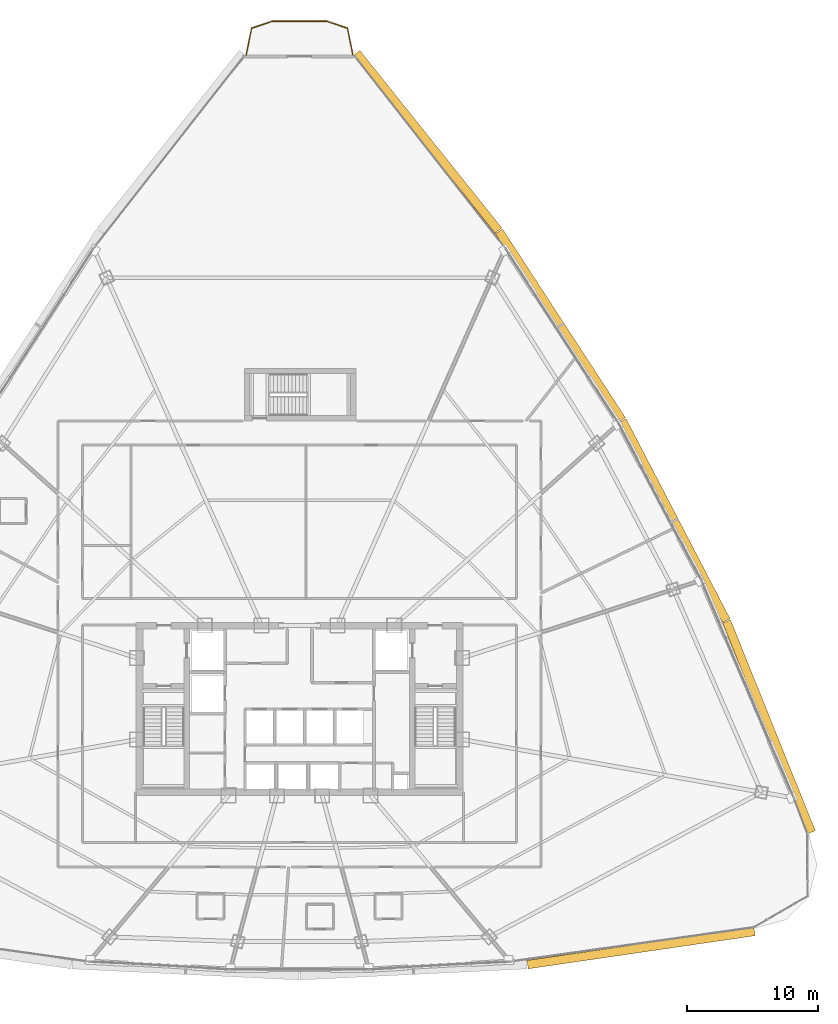
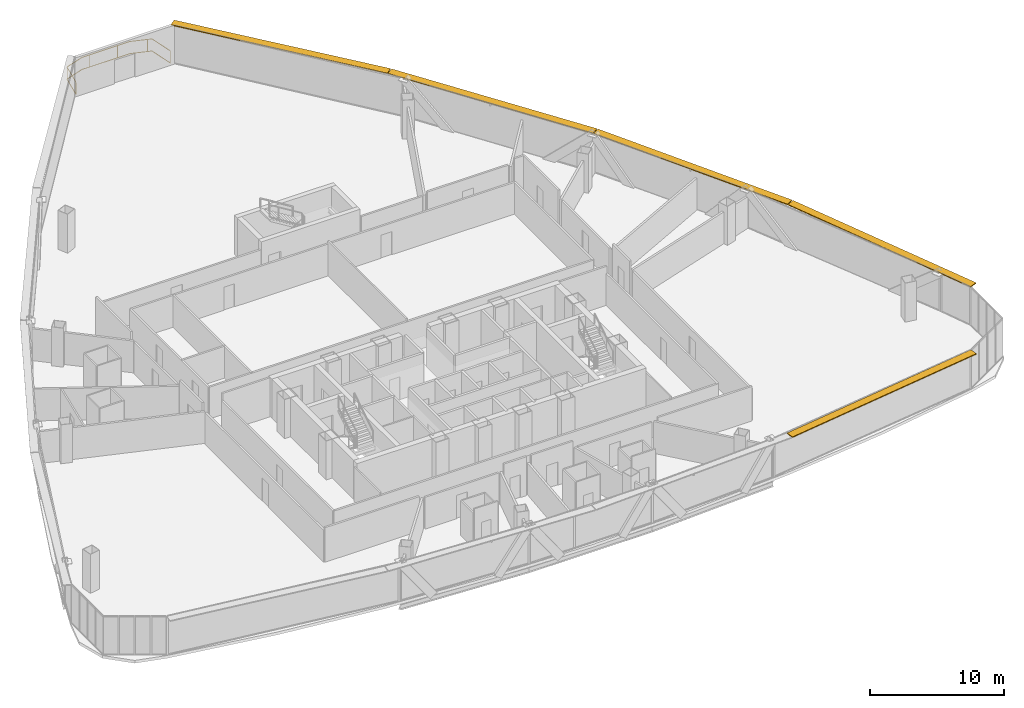
# One storey, part 40 of 40: 5 shading devices, 1 railing.
"""IFC4 building model written with IfcOpenShell, lengths in metres."""

from ifc_helpers import new_model, si_unit, direction, frame, origin, origin_2d, place, context, subcontext, project, spatial, rectangle, extrude, source, transform, mapped, material, layer, layer_set, type_object, element, save


model = new_model("IFC4")

# Units and contexts
model_context = context("Model", 3, precision=1e-05, world=origin(), true_north=direction((0.0, 1.0)))
body_context = subcontext(model_context, "Body", "Model", "MODEL_VIEW")
ifc_project = project(units=[si_unit("LENGTHUNIT", "METRE"), si_unit("AREAUNIT", "SQUARE_METRE"), si_unit("VOLUMEUNIT", "CUBIC_METRE"), si_unit("PLANEANGLEUNIT", "RADIAN"), si_unit("MASSUNIT", "GRAM", prefix="KILO"), si_unit("THERMODYNAMICTEMPERATUREUNIT", "KELVIN"), si_unit("POWERUNIT", "WATT")], contexts=[model_context])

# Site, building, storey
site_placement = place(None, origin())
site = spatial("IfcSite", under=ifc_project, at=site_placement, CompositionType="ELEMENT")
building_placement = place(site_placement, origin())
building = spatial("IfcBuilding", under=site, at=building_placement, Name="Yunzhuo Pagoda Commons", CompositionType="ELEMENT")
storey_placement = place(building_placement, frame((0.0, 0.0, 188.56005859375)))
storey = spatial("IfcBuildingStorey", under=building, at=storey_placement, Name="L47", CompositionType="ELEMENT", Elevation=188.56005859375)

# Railing
ifc_material = material(Name="Anodized aluminium 6063-T6", Category="aluminium")
railing_type = type_object("IfcRailingType", Name="RL-BAL1 Exterior Terrace & Balcony Balustrade 1150", PredefinedType="BALUSTRADE", material=ifc_material)
railing_placement = place(storey_placement, frame((52.060302734375, 83.712646484375, 0.0)))
element("IfcRailing", 1, at=railing_placement, inside=storey, type_object=railing_type, Name="L47 corner balcony balustrade V3", PredefinedType="BALUSTRADE", context=body_context, shape_type="SweptSolid", body=[
    extrude(rectangle(XDim=0.048095703125, YDim=0.048095703125, at=origin_2d()), frame((0.0, 0.0, 1.1259765625), z_axis=(-0.194200568098, 0.980961843983, 0.0), x_axis=(-0.980961843983, -0.194200568098, 0.0)), (0.0, 0.0, 1.0), 2.059326171875),
    extrude(rectangle(XDim=0.048095703125, YDim=0.048095703125, at=origin_2d()), frame((0.0, 0.0, 0.02392578125), z_axis=(-0.194200568098, 0.980961843983, 0.0), x_axis=(-0.980961843983, -0.194200568098, 0.0)), (0.0, 0.0, 1.0), 2.059326171875),
    extrude(rectangle(XDim=0.048095703125, YDim=0.048095703125, at=origin_2d()), frame((-0.39990234375, 2.02001953125, 1.1259765625), z_axis=(-0.948697861028, 0.316184073732, 0.0), x_axis=(-0.316184073732, -0.948697861028, 0.0)), (0.0, 0.0, 1.0), 1.67626953125),
    extrude(rectangle(XDim=0.048095703125, YDim=0.048095703125, at=origin_2d()), frame((-0.39990234375, 2.02001953125, 0.02392578125), z_axis=(-0.948697861028, 0.316184073732, 0.0), x_axis=(-0.316184073732, -0.948697861028, 0.0)), (0.0, 0.0, 1.0), 1.67626953125),
    extrude(rectangle(XDim=0.048095703125, YDim=0.048095703125, at=origin_2d()), frame((-1.990234375, 2.550048828125, 1.1259765625), z_axis=(-1.0, 0.0, 0.0), x_axis=(0.0, -1.0, 0.0)), (0.0, 0.0, 1.0), 4.14013671875),
    extrude(rectangle(XDim=0.048095703125, YDim=0.048095703125, at=origin_2d()), frame((-1.990234375, 2.550048828125, 0.02392578125), z_axis=(-1.0, 0.0, 0.0), x_axis=(0.0, -1.0, 0.0)), (0.0, 0.0, 1.0), 4.14013671875),
    extrude(rectangle(XDim=0.048095703125, YDim=0.048095703125, at=origin_2d()), frame((-6.13037109375, 2.550048828125, 1.1259765625), z_axis=(-0.948697861028, -0.316184073732, 0.0), x_axis=(0.316184073732, -0.948697861028, 0.0)), (0.0, 0.0, 1.0), 1.67626953125),
    extrude(rectangle(XDim=0.048095703125, YDim=0.048095703125, at=origin_2d()), frame((-6.13037109375, 2.550048828125, 0.02392578125), z_axis=(-0.948697861028, -0.316184073732, 0.0), x_axis=(0.316184073732, -0.948697861028, 0.0)), (0.0, 0.0, 1.0), 1.67626953125),
    extrude(rectangle(XDim=0.048095703125, YDim=0.048095703125, at=origin_2d()), frame((-7.720703125, 2.02001953125, 1.1259765625), z_axis=(-0.194200568098, -0.980961843983, 0.0), x_axis=(0.980961843983, -0.194200568098, 0.0)), (0.0, 0.0, 1.0), 2.059326171875),
    extrude(rectangle(XDim=0.048095703125, YDim=0.048095703125, at=origin_2d()), frame((-7.720703125, 2.02001953125, 0.02392578125), z_axis=(-0.194200568098, -0.980961843983, 0.0), x_axis=(0.980961843983, -0.194200568098, 0.0)), (0.0, 0.0, 1.0), 2.059326171875),
    extrude(rectangle(XDim=0.0419921875, YDim=0.0419921875, at=origin_2d()), origin(), (0.0, 0.0, 1.0), 1.101806640625),
    extrude(rectangle(XDim=0.0419921875, YDim=0.0419921875, at=origin_2d()), frame((-0.72314453125, 2.127685546875, 0.0)), (0.0, 0.0, 1.0), 1.101806640625),
    extrude(rectangle(XDim=0.0419921875, YDim=0.0419921875, at=origin_2d()), frame((-3.0546875, 2.550048828125, 0.0)), (0.0, 0.0, 1.0), 1.101806640625),
    extrude(rectangle(XDim=0.0419921875, YDim=0.0419921875, at=origin_2d()), frame((-5.45458984375, 2.550048828125, 0.0)), (0.0, 0.0, 1.0), 1.101806640625),
    extrude(rectangle(XDim=0.0419921875, YDim=0.0419921875, at=origin_2d()), frame((-7.72998046875, 1.972900390625, 0.0)), (0.0, 0.0, 1.0), 1.101806640625),
    extrude(rectangle(XDim=0.0419921875, YDim=0.0419921875, at=origin_2d()), frame((-8.12060546875, 0.0, 0.0)), (0.0, 0.0, 1.0), 1.101806640625),
])

# Shading devices
ifc_layer = layer(ifc_material, 0.080078125)
ifc_layer_set = layer_set([ifc_layer], Name="Anodized aluminium 6063-T6")
shading_device_type = type_object("IfcShadingDeviceType", Name="SH-SUN1 Pagoda Horizontal Sunshade Eave 650", PredefinedType="USERDEFINED", material=ifc_layer_set)
shared_shape_1 = source(origin(), body_context, "Body", "SweptSolid", [
    extrude(rectangle(XDim=17.475830078125, YDim=0.64990234375, at=origin_2d()), origin(), (0.0, 0.0, 1.0), 0.080078125),
])
shading_device_1_placement = place(storey_placement, frame((74.032958984375, 15.615478515625, 3.4599609375), z_axis=(0.0, 0.0, 1.0), x_axis=(0.989510666697, 0.144459823108, 0.0)))
element("IfcShadingDevice", 2, at=shading_device_1_placement, inside=storey, type_object=shading_device_type, Name="L47 horizontal pagoda sunshade eave F1.4", ObjectType="SUNSHADE", PredefinedType="USERDEFINED", context=body_context, shape_type="MappedRepresentation", body=[
    mapped(shared_shape_1, transform((0.0, 0.0, 0.0), scale=1.0)),
])
shared_shape_2 = source(origin(), body_context, "Body", "SweptSolid", [
    extrude(rectangle(XDim=17.335205078125, YDim=0.64990234375, at=origin_2d()), origin(), (0.0, 0.0, 1.0), 0.080078125),
])
shading_device_2_placement = place(storey_placement, frame((83.786865234375, 32.4794921875, 3.4599609375), z_axis=(0.0, 0.0, 1.0), x_axis=(-0.372987782576, 0.927836253899, 0.0)))
element("IfcShadingDevice", 3, at=shading_device_2_placement, inside=storey, type_object=shading_device_type, Name="L47 horizontal pagoda sunshade eave F2.1", ObjectType="SUNSHADE", PredefinedType="USERDEFINED", context=body_context, shape_type="MappedRepresentation", body=[
    mapped(shared_shape_2, transform((0.0, 0.0, 0.0), scale=1.0)),
])
shared_shape_3 = source(origin(), body_context, "Body", "SweptSolid", [
    extrude(rectangle(XDim=17.1708984375, YDim=0.64990234375, at=origin_2d()), origin(), (0.0, 0.0, 1.0), 0.080078125),
])
for number, where, z_axis, x_axis, name in (
    (4, (76.56787109375, 48.19677734375, 3.4599609375), (0.0, 0.0, 1.0), (-0.461206683033, 0.88729273384, 0.0), "L47 horizontal pagoda sunshade eave F2.2"),
    (5, (67.889892578125, 63.06298828125, 3.4599609375), (0.0, 0.0, 1.0), (-0.545838756973, 0.837890238269, 0.0), "L47 horizontal pagoda sunshade eave F2.3"),
):
    element("IfcShadingDevice", number, at=place(storey_placement, frame(where, z_axis=z_axis, x_axis=x_axis)), inside=storey, type_object=shading_device_type, Name=name, ObjectType="SUNSHADE", PredefinedType="USERDEFINED", context=body_context, shape_type="MappedRepresentation", body=[
        mapped(shared_shape_3, transform((0.0, 0.0, 0.0), scale=1.0)),
    ])
shared_shape_4 = source(origin(), body_context, "Body", "SweptSolid", [
    extrude(rectangle(XDim=17.33544921875, YDim=0.64990234375, at=origin_2d()), origin(), (0.0, 0.0, 1.0), 0.080078125),
])
shading_device_3_placement = place(storey_placement, frame((57.75341796875, 77.077392578125, 3.4599609375), z_axis=(0.0, 0.0, 1.0), x_axis=(-0.624520471688, 0.781008438138, 0.0)))
element("IfcShadingDevice", 6, at=shading_device_3_placement, inside=storey, type_object=shading_device_type, Name="L47 horizontal pagoda sunshade eave F2.4", ObjectType="SUNSHADE", PredefinedType="USERDEFINED", context=body_context, shape_type="MappedRepresentation", body=[
    mapped(shared_shape_4, transform((0.0, 0.0, 0.0), scale=1.0)),
])

save(model, "model.ifc")
